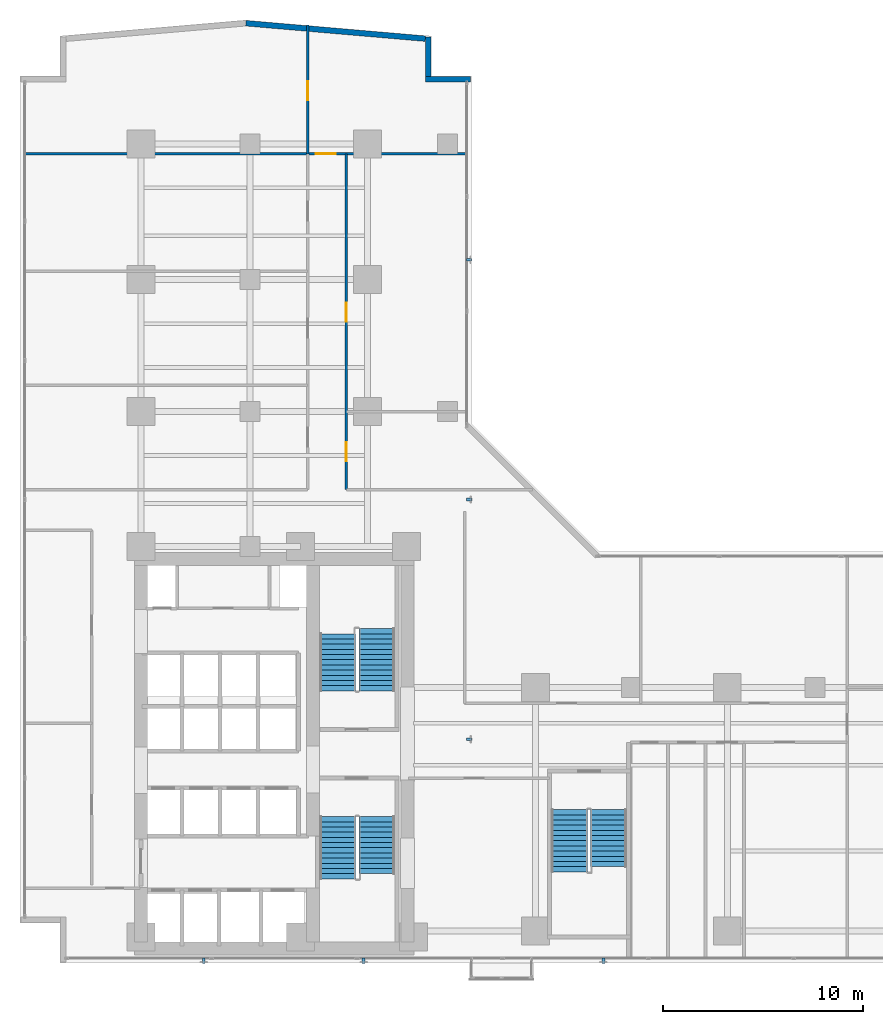
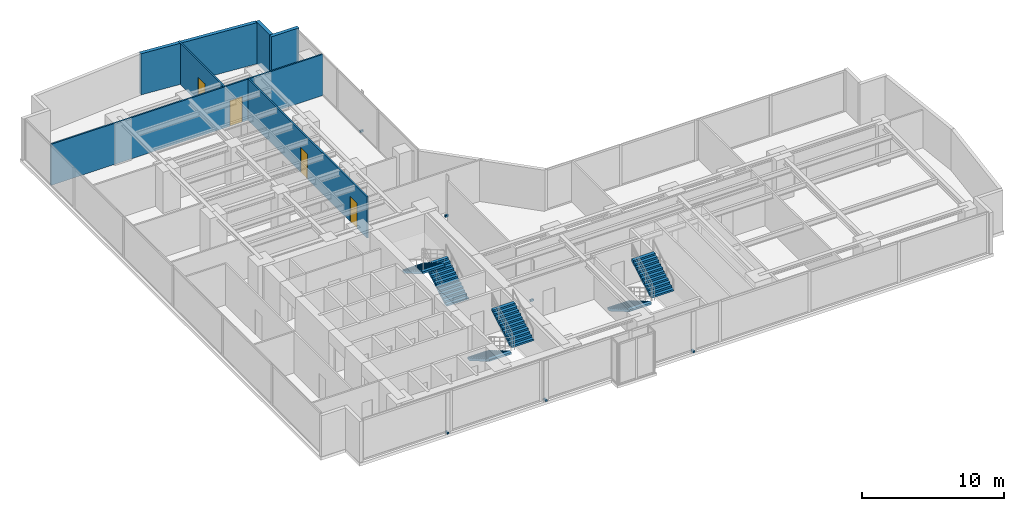
# One storey, part 21 of 24: 6 discrete accessories, 6 stair flights, 6 walls, 4 doors, 4 openings, 3 elements without a shape of their own.
"""IFC4 building model written with IfcOpenShell, lengths in metres."""

from ifc_helpers import new_model, si_unit, direction, frame, frame_2d, origin, origin_with_axes, origin_2d, place, context, subcontext, project, spatial, polyline, rectangle, outline, extrude, source, transform, mapped, material, layer, layer_set, type_object, element, fill, aggregate, save


model = new_model("IFC4")

# Units and contexts
model_context = context("Model", 3, precision=1e-05, world=origin(), true_north=direction((0.0, 1.0)))
body_context = subcontext(model_context, "Body", "Model", "MODEL_VIEW")
ifc_project = project(units=[si_unit("LENGTHUNIT", "METRE"), si_unit("AREAUNIT", "SQUARE_METRE"), si_unit("VOLUMEUNIT", "CUBIC_METRE"), si_unit("PLANEANGLEUNIT", "RADIAN"), si_unit("MASSUNIT", "GRAM", prefix="KILO")], contexts=[model_context])

# Site, building, storey
site_placement = place(None, origin())
site = spatial("IfcSite", under=ifc_project, at=site_placement, CompositionType="ELEMENT")
building_placement = place(site_placement, origin())
building = spatial("IfcBuilding", under=site, at=building_placement, Name="Kolvaren Waterfront Exchange", CompositionType="ELEMENT")
storey_placement = place(building_placement, frame((0.0, 0.0, 91.699951171875)))
storey = spatial("IfcBuildingStorey", under=building, at=storey_placement, Name="L23", CompositionType="ELEMENT", Elevation=91.699951171875)

# Walls
ifc_material_1 = material(Name="Precast concrete C40/50", Category="concrete")
ifc_layer_1 = layer(ifc_material_1, 0.280029296875, Name="Precast concrete C40/50")
ifc_layer_set_1 = layer_set([ifc_layer_1], Name="Precast concrete C40/50")
wall_type_1 = type_object("IfcWallType", Name="ARC-EXT-TERR-280", PredefinedType="SOLIDWALL", material=ifc_layer_set_1)
wall_1_placement = place(storey_placement, frame((21.699951171875, 47.840087890625, 0.0), z_axis=(0.0, 0.0, 1.0), x_axis=(1.0, 0.0, 0.0)))
element("IfcWall", 1, at=wall_1_placement, inside=storey, type_object=wall_type_1, Name="L23 notched corner spandrel pier NNE-A", PredefinedType="SOLIDWALL", context=body_context, shape_type="SweptSolid", body=[
    extrude(rectangle(XDim=2.239990234375, YDim=0.280029296875, at=frame_2d((1.1201171875, 0.0))), origin(), (0.0, 0.0, 1.0), 3.5400390625),
])
wall_2_placement = place(storey_placement, frame((21.840087890625, 47.97998046875, 0.0), z_axis=(0.0, 0.0, 1.0), x_axis=(0.0, 1.0, 0.0)))
element("IfcWall", 2, at=wall_2_placement, inside=storey, type_object=wall_type_1, Name="L23 notched corner spandrel pier NNE-B", PredefinedType="SOLIDWALL", context=body_context, shape_type="SweptSolid", body=[
    extrude(rectangle(XDim=1.9599609375, YDim=0.280029296875, at=frame_2d((0.97998046875, 0.0))), origin(), (0.0, 0.0, 1.0), 3.5400390625),
])
wall_3_placement = place(storey_placement, frame((21.6875, 49.8662109375, 0.0), z_axis=(0.0, 0.0, 1.0), x_axis=(-0.996319339243, 0.085719159179, 0.0)))
element("IfcWall", 3, at=wall_3_placement, inside=storey, type_object=wall_type_1, Name="L23 north prow faceted facade wall 1", PredefinedType="SOLIDWALL", context=body_context, shape_type="SweptSolid", body=[
    extrude(rectangle(XDim=9.014404296875, YDim=0.280029296875, at=frame_2d((4.50732421875, 0.0))), origin(), (0.0, 0.0, 1.0), 3.5400390625),
])

# Wall, opening, door
ifc_material_2 = material(Name="Acoustic gypsum steel stud", Category="steel")
ifc_layer_2 = layer(ifc_material_2, 0.125, Name="Acoustic gypsum steel stud")
ifc_layer_set_2 = layer_set([ifc_layer_2], Name="Acoustic gypsum steel stud")
wall_type_2 = type_object("IfcWallType", Name="ARC-PART-125", PredefinedType="PARTITIONING", material=ifc_layer_set_2)
wall_4_placement = place(storey_placement, frame((1.639892578125, 44.10009765625, 0.0), z_axis=(0.0, 0.0, 1.0), x_axis=(1.0, 0.0, 0.0)))
wall_4 = element("IfcWall", 4, at=wall_4_placement, inside=storey, type_object=wall_type_2, Name="L23 interior wall PW-L23-NTIP-S", PredefinedType="PARTITIONING", context=body_context, shape_type="SweptSolid", body=[
    extrude(rectangle(XDim=22.1201171875, YDim=0.125, at=frame_2d((11.06005859375, 0.0))), origin(), (0.0, 0.0, 1.0), 3.5400390625),
])
opening_1_placement = place(wall_4_placement, frame((14.56005859375, 0.0, 0.0)))
opening_1 = element("IfcOpeningElement", 5, at=opening_1_placement, cuts=wall_4, Name="Opening D03", PredefinedType="OPENING", context=body_context, shape_type="SweptSolid", body=[
    extrude(rectangle(XDim=1.0, YDim=2.199951171875, at=frame_2d((0.5, 1.10009765625))), frame((0.0, 0.072509765625, 0.0), z_axis=(0.0, -1.0, 0.0), x_axis=(1.0, 0.0, 0.0)), (0.0, 0.0, 1.0), 0.14501953125),
])
ifc_material_3 = material(Name="Oak veneer accessible timber", Category="wood")
door_type_1 = type_object("IfcDoorType", Name="ARC-DR-1000", OperationType="NOTDEFINED", PredefinedType="DOOR", material=ifc_material_3)
door_1_placement = place(opening_1_placement, origin())
door_1 = element("IfcDoor", 6, at=door_1_placement, inside=storey, type_object=door_type_1, Name="L23 door DR-L23-NTIPE-D (D03)", OperationType="SINGLE_SWING_RIGHT", OverallHeight=2.199951171875, OverallWidth=1.0, PredefinedType="DOOR", context=body_context, shape_type="SweptSolid", body=[
    extrude(rectangle(XDim=1.0, YDim=2.199951171875, at=frame_2d((0.5, 1.10009765625))), frame((0.0, 0.02490234375, 0.0), z_axis=(0.0, -1.0, 0.0), x_axis=(1.0, 0.0, 0.0)), (0.0, 0.0, 1.0), 0.050048828125),
])
fill(opening_1, door_1)

wall_5_placement = place(storey_placement, frame((15.800048828125, 44.10009765625, 0.0), z_axis=(0.0, 0.0, 1.0), x_axis=(0.0, 1.0, 0.0)))
wall_5 = element("IfcWall", 7, at=wall_5_placement, inside=storey, type_object=wall_type_2, Name="L23 interior wall PW-L23-NTIP-DIV", PredefinedType="PARTITIONING", context=body_context, shape_type="SweptSolid", body=[
    extrude(rectangle(XDim=6.4599609375, YDim=0.125, at=frame_2d((3.22998046875, 0.0))), origin(), (0.0, 0.0, 1.0), 3.5400390625),
])
opening_2_placement = place(wall_5_placement, frame((2.677490234375, 0.0, 0.0)))
opening_2 = element("IfcOpeningElement", 8, at=opening_2_placement, cuts=wall_5, Name="Opening D02", PredefinedType="OPENING", context=body_context, shape_type="SweptSolid", body=[
    extrude(rectangle(XDim=0.949951171875, YDim=2.14990234375, at=frame_2d((0.47509765625, 1.074951171875))), frame((0.0, 0.072509765625, 0.0), z_axis=(0.0, -1.0, 0.0), x_axis=(1.0, 0.0, 0.0)), (0.0, 0.0, 1.0), 0.14501953125),
])
ifc_material_4 = material(Name="Oak veneer acoustic timber", Category="wood")
door_type_2 = type_object("IfcDoorType", Name="ARC-DR-950", OperationType="NOTDEFINED", PredefinedType="DOOR", material=ifc_material_4)
door_2_placement = place(opening_2_placement, origin())
door_2 = element("IfcDoor", 9, at=door_2_placement, inside=storey, type_object=door_type_2, Name="L23 door DR-L23-NTIPW-D (D02)", OperationType="SINGLE_SWING_LEFT", OverallHeight=2.14990234375, OverallWidth=0.949951171875, PredefinedType="DOOR", context=body_context, shape_type="SweptSolid", body=[
    extrude(rectangle(XDim=0.949951171875, YDim=2.14990234375, at=frame_2d((0.47509765625, 1.074951171875))), frame((0.0, 0.02490234375, 0.0), z_axis=(0.0, -1.0, 0.0), x_axis=(1.0, 0.0, 0.0)), (0.0, 0.0, 1.0), 0.050048828125),
])
fill(opening_2, door_2)

# Wall, openings, doors
wall_6_placement = place(storey_placement, frame((17.739990234375, 27.300048828125, 0.0), z_axis=(0.0, 0.0, 1.0), x_axis=(0.0, 1.0, 0.0)))
wall_6 = element("IfcWall", 10, at=wall_6_placement, inside=storey, type_object=wall_type_2, Name="L23 interior wall PW-L23-NE-CORR", PredefinedType="PARTITIONING", context=body_context, shape_type="SweptSolid", body=[
    extrude(rectangle(XDim=16.800048828125, YDim=0.125, at=frame_2d((8.39990234375, 0.0))), origin(), (0.0, 0.0, 1.0), 3.5400390625),
])
opening_3_placement = place(wall_6_placement, frame((1.4033203125, 0.0, 0.0)))
opening_3 = element("IfcOpeningElement", 11, at=opening_3_placement, cuts=wall_6, Name="Opening D02", PredefinedType="OPENING", context=body_context, shape_type="SweptSolid", body=[
    extrude(rectangle(XDim=0.949951171875, YDim=2.14990234375, at=frame_2d((0.47509765625, 1.074951171875))), frame((0.0, 0.072509765625, 0.0), z_axis=(0.0, -1.0, 0.0), x_axis=(1.0, 0.0, 0.0)), (0.0, 0.0, 1.0), 0.14501953125),
])
opening_4_placement = place(wall_6_placement, frame((8.39306640625, 0.0, 0.0)))
opening_4 = element("IfcOpeningElement", 12, at=opening_4_placement, cuts=wall_6, Name="Opening D02", PredefinedType="OPENING", context=body_context, shape_type="SweptSolid", body=[
    extrude(rectangle(XDim=0.949951171875, YDim=2.14990234375, at=frame_2d((0.47509765625, 1.074951171875))), frame((0.0, 0.072509765625, 0.0), z_axis=(0.0, -1.0, 0.0), x_axis=(1.0, 0.0, 0.0)), (0.0, 0.0, 1.0), 0.14501953125),
])
door_3_placement = place(opening_3_placement, origin())
door_3 = element("IfcDoor", 13, at=door_3_placement, inside=storey, type_object=door_type_2, Name="L23 door DR-L23-NE-D-1 (D02)", OperationType="SINGLE_SWING_RIGHT", OverallHeight=2.14990234375, OverallWidth=0.949951171875, PredefinedType="DOOR", context=body_context, shape_type="SweptSolid", body=[
    extrude(rectangle(XDim=0.949951171875, YDim=2.14990234375, at=frame_2d((0.47509765625, 1.074951171875))), frame((0.0, 0.02490234375, 0.0), z_axis=(0.0, -1.0, 0.0), x_axis=(1.0, 0.0, 0.0)), (0.0, 0.0, 1.0), 0.050048828125),
])
fill(opening_3, door_3)
door_4_placement = place(opening_4_placement, origin())
door_4 = element("IfcDoor", 14, at=door_4_placement, inside=storey, type_object=door_type_2, Name="L23 door DR-L23-NE-D-2 (D02)", OperationType="SINGLE_SWING_LEFT", OverallHeight=2.14990234375, OverallWidth=0.949951171875, PredefinedType="DOOR", context=body_context, shape_type="SweptSolid", body=[
    extrude(rectangle(XDim=0.949951171875, YDim=2.14990234375, at=frame_2d((0.47509765625, 1.074951171875))), frame((0.0, 0.02490234375, 0.0), z_axis=(0.0, -1.0, 0.0), x_axis=(1.0, 0.0, 0.0)), (0.0, 0.0, 1.0), 0.050048828125),
])
fill(opening_4, door_4)

# Stair, stair flights
ifc_material_5 = material(Name="Concrete C40/50", Category="concrete")
stair_type = type_object("IfcStairType", Name="ARC-STAIR-3800", PredefinedType="HALF_TURN_STAIR", material=ifc_material_5)
stair_1_placement = place(storey_placement, origin())
stair_1 = element("IfcStair", 15, at=stair_1_placement, inside=storey, type_object=stair_type, Name="L23 Smoke-proof exit stair ST1", PredefinedType="HALF_TURN_STAIR")
stair_flight_type = type_object("IfcStairFlightType", Name="ARC-FLIGHT-3800", PredefinedType="STRAIGHT", material=ifc_material_5)
stair_flight_1_placement = place(storey_placement, frame((17.300048828125, 10.929931640625, 0.0), z_axis=(0.0, 0.0, 1.0), x_axis=(0.0, -1.0, 0.0)))
stair_flight_1 = element("IfcStairFlight", 16, at=stair_flight_1_placement, type_object=stair_flight_type, Name="ST1 flight 1", NumberOfRisers=13, NumberOfTreads=12, PredefinedType="STRAIGHT", RiserHeight=0.152, TreadLength=0.26, context=body_context, shape_type="SweptSolid", body=[
    extrude(outline(polyline([(0.0, 0.0), (0.0, 0.152099609375), (0.260009765625, 0.152099609375), (0.260009765625, 0.303955078125), (0.52001953125, 0.303955078125), (0.52001953125, 0.4560546875), (0.780029296875, 0.4560546875), (0.780029296875, 0.60791015625), (1.0400390625, 0.60791015625), (1.0400390625, 0.760009765625), (1.300048828125, 0.760009765625), (1.300048828125, 0.912109375), (1.56005859375, 0.912109375), (1.56005859375, 1.06396484375), (1.820068359375, 1.06396484375), (1.820068359375, 1.216064453125), (2.080078125, 1.216064453125), (2.080078125, 1.367919921875), (2.340087890625, 1.367919921875), (2.340087890625, 1.52001953125), (2.60009765625, 1.52001953125), (2.60009765625, 1.672119140625), (2.860107421875, 1.672119140625), (2.860107421875, 1.823974609375), (3.1201171875, 1.823974609375), (3.1201171875, 1.97607421875), (3.1201171875, 1.650390625), (0.297119140625, 0.0), (0.0, 0.0)])), frame((0.0, 0.89990234375, 0.0), z_axis=(0.0, -1.0, 0.0), x_axis=(1.0, 0.0, 0.0)), (0.0, 0.0, 1.0), 1.800048828125),
])
stair_flight_2_placement = place(storey_placement, frame((19.260009765625, 8.070068359375, 1.97607421875), z_axis=(0.0, 0.0, 1.0), x_axis=(0.0, 1.0, 0.0)))
stair_flight_2 = element("IfcStairFlight", 17, at=stair_flight_2_placement, type_object=stair_flight_type, Name="ST1 flight 2", NumberOfRisers=12, NumberOfTreads=11, PredefinedType="STRAIGHT", RiserHeight=0.152, TreadLength=0.26, context=body_context, shape_type="SweptSolid", body=[
    extrude(outline(polyline([(0.0, 0.0), (0.0, 0.152099609375), (0.260009765625, 0.152099609375), (0.260009765625, 0.303955078125), (0.52001953125, 0.303955078125), (0.52001953125, 0.4560546875), (0.780029296875, 0.4560546875), (0.780029296875, 0.60791015625), (1.0400390625, 0.60791015625), (1.0400390625, 0.760009765625), (1.300048828125, 0.760009765625), (1.300048828125, 0.912109375), (1.56005859375, 0.912109375), (1.56005859375, 1.06396484375), (1.820068359375, 1.06396484375), (1.820068359375, 1.216064453125), (2.080078125, 1.216064453125), (2.080078125, 1.367919921875), (2.340087890625, 1.367919921875), (2.340087890625, 1.52001953125), (2.60009765625, 1.52001953125), (2.60009765625, 1.672119140625), (2.860107421875, 1.672119140625), (2.860107421875, 1.823974609375), (2.860107421875, 1.498291015625), (0.297119140625, 0.0), (0.0, 0.0)])), frame((0.0, 0.89990234375, 0.0), z_axis=(0.0, -1.0, 0.0), x_axis=(1.0, 0.0, 0.0)), (0.0, 0.0, 1.0), 1.800048828125),
])
aggregate(stair_1, [stair_flight_1, stair_flight_2])

stair_2_placement = place(storey_placement, origin())
stair_2 = element("IfcStair", 18, at=stair_2_placement, inside=storey, type_object=stair_type, Name="L23 Smoke-proof exit stair ST2", PredefinedType="HALF_TURN_STAIR")
stair_flight_3_placement = place(storey_placement, frame((19.260009765625, 17.219970703125, 0.0), z_axis=(0.0, 0.0, 1.0), x_axis=(0.0, 1.0, 0.0)))
stair_flight_3 = element("IfcStairFlight", 19, at=stair_flight_3_placement, type_object=stair_flight_type, Name="ST2 flight 1", NumberOfRisers=13, NumberOfTreads=12, PredefinedType="STRAIGHT", RiserHeight=0.152, TreadLength=0.26, context=body_context, shape_type="SweptSolid", body=[
    extrude(outline(polyline([(0.0, 0.0), (0.0, 0.152099609375), (0.260009765625, 0.152099609375), (0.260009765625, 0.303955078125), (0.52001953125, 0.303955078125), (0.52001953125, 0.4560546875), (0.780029296875, 0.4560546875), (0.780029296875, 0.60791015625), (1.0400390625, 0.60791015625), (1.0400390625, 0.760009765625), (1.300048828125, 0.760009765625), (1.300048828125, 0.912109375), (1.56005859375, 0.912109375), (1.56005859375, 1.06396484375), (1.820068359375, 1.06396484375), (1.820068359375, 1.216064453125), (2.080078125, 1.216064453125), (2.080078125, 1.367919921875), (2.340087890625, 1.367919921875), (2.340087890625, 1.52001953125), (2.60009765625, 1.52001953125), (2.60009765625, 1.672119140625), (2.860107421875, 1.672119140625), (2.860107421875, 1.823974609375), (3.1201171875, 1.823974609375), (3.1201171875, 1.97607421875), (3.1201171875, 1.650390625), (0.297119140625, 0.0), (0.0, 0.0)])), frame((0.0, 0.89990234375, 0.0), z_axis=(0.0, -1.0, 0.0), x_axis=(1.0, 0.0, 0.0)), (0.0, 0.0, 1.0), 1.800048828125),
])
stair_flight_4_placement = place(storey_placement, frame((17.300048828125, 20.080078125, 1.97607421875), z_axis=(0.0, 0.0, 1.0), x_axis=(0.0, -1.0, 0.0)))
stair_flight_4 = element("IfcStairFlight", 20, at=stair_flight_4_placement, type_object=stair_flight_type, Name="ST2 flight 2", NumberOfRisers=12, NumberOfTreads=11, PredefinedType="STRAIGHT", RiserHeight=0.152, TreadLength=0.26, context=body_context, shape_type="SweptSolid", body=[
    extrude(outline(polyline([(0.0, 0.0), (0.0, 0.152099609375), (0.260009765625, 0.152099609375), (0.260009765625, 0.303955078125), (0.52001953125, 0.303955078125), (0.52001953125, 0.4560546875), (0.780029296875, 0.4560546875), (0.780029296875, 0.60791015625), (1.0400390625, 0.60791015625), (1.0400390625, 0.760009765625), (1.300048828125, 0.760009765625), (1.300048828125, 0.912109375), (1.56005859375, 0.912109375), (1.56005859375, 1.06396484375), (1.820068359375, 1.06396484375), (1.820068359375, 1.216064453125), (2.080078125, 1.216064453125), (2.080078125, 1.367919921875), (2.340087890625, 1.367919921875), (2.340087890625, 1.52001953125), (2.60009765625, 1.52001953125), (2.60009765625, 1.672119140625), (2.860107421875, 1.672119140625), (2.860107421875, 1.823974609375), (2.860107421875, 1.498291015625), (0.297119140625, 0.0), (0.0, 0.0)])), frame((0.0, 0.89990234375, 0.0), z_axis=(0.0, -1.0, 0.0), x_axis=(1.0, 0.0, 0.0)), (0.0, 0.0, 1.0), 1.800048828125),
])
aggregate(stair_2, [stair_flight_3, stair_flight_4])

stair_3_placement = place(storey_placement, origin())
stair_3 = element("IfcStair", 21, at=stair_3_placement, inside=storey, type_object=stair_type, Name="L23 Exit stair ST3", PredefinedType="HALF_TURN_STAIR")
stair_flight_5_placement = place(storey_placement, frame((28.89990234375, 11.280029296875, 0.0), z_axis=(0.0, 0.0, 1.0), x_axis=(0.0, -1.0, 0.0)))
stair_flight_5 = element("IfcStairFlight", 22, at=stair_flight_5_placement, type_object=stair_flight_type, Name="ST3 flight 1", NumberOfRisers=13, NumberOfTreads=12, PredefinedType="STRAIGHT", RiserHeight=0.152, TreadLength=0.26, context=body_context, shape_type="SweptSolid", body=[
    extrude(outline(polyline([(0.0, 0.0), (0.0, 0.152099609375), (0.260009765625, 0.152099609375), (0.260009765625, 0.303955078125), (0.52001953125, 0.303955078125), (0.52001953125, 0.4560546875), (0.780029296875, 0.4560546875), (0.780029296875, 0.60791015625), (1.0400390625, 0.60791015625), (1.0400390625, 0.760009765625), (1.300048828125, 0.760009765625), (1.300048828125, 0.912109375), (1.56005859375, 0.912109375), (1.56005859375, 1.06396484375), (1.820068359375, 1.06396484375), (1.820068359375, 1.216064453125), (2.080078125, 1.216064453125), (2.080078125, 1.367919921875), (2.340087890625, 1.367919921875), (2.340087890625, 1.52001953125), (2.60009765625, 1.52001953125), (2.60009765625, 1.672119140625), (2.860107421875, 1.672119140625), (2.860107421875, 1.823974609375), (3.1201171875, 1.823974609375), (3.1201171875, 1.97607421875), (3.1201171875, 1.650390625), (0.297119140625, 0.0), (0.0, 0.0)])), frame((0.0, 0.89990234375, 0.0), z_axis=(0.0, -1.0, 0.0), x_axis=(1.0, 0.0, 0.0)), (0.0, 0.0, 1.0), 1.800048828125),
])
stair_flight_6_placement = place(storey_placement, frame((30.860107421875, 8.419921875, 1.97607421875), z_axis=(0.0, 0.0, 1.0), x_axis=(0.0, 1.0, 0.0)))
stair_flight_6 = element("IfcStairFlight", 23, at=stair_flight_6_placement, type_object=stair_flight_type, Name="ST3 flight 2", NumberOfRisers=12, NumberOfTreads=11, PredefinedType="STRAIGHT", RiserHeight=0.152, TreadLength=0.26, context=body_context, shape_type="SweptSolid", body=[
    extrude(outline(polyline([(0.0, 0.0), (0.0, 0.152099609375), (0.260009765625, 0.152099609375), (0.260009765625, 0.303955078125), (0.52001953125, 0.303955078125), (0.52001953125, 0.4560546875), (0.780029296875, 0.4560546875), (0.780029296875, 0.60791015625), (1.0400390625, 0.60791015625), (1.0400390625, 0.760009765625), (1.300048828125, 0.760009765625), (1.300048828125, 0.912109375), (1.56005859375, 0.912109375), (1.56005859375, 1.06396484375), (1.820068359375, 1.06396484375), (1.820068359375, 1.216064453125), (2.080078125, 1.216064453125), (2.080078125, 1.367919921875), (2.340087890625, 1.367919921875), (2.340087890625, 1.52001953125), (2.60009765625, 1.52001953125), (2.60009765625, 1.672119140625), (2.860107421875, 1.672119140625), (2.860107421875, 1.823974609375), (2.860107421875, 1.498291015625), (0.297119140625, 0.0), (0.0, 0.0)])), frame((0.0, 0.89990234375, 0.0), z_axis=(0.0, -1.0, 0.0), x_axis=(1.0, 0.0, 0.0)), (0.0, 0.0, 1.0), 1.800048828125),
])
aggregate(stair_3, [stair_flight_5, stair_flight_6])

# Discrete accessories
ifc_material_6 = material(Name="Stainless steel 316", Category="steel")
discrete_accessory_type = type_object("IfcDiscreteAccessoryType", Name="ARC-BRK-FIN", PredefinedType="BRACKET", material=ifc_material_6)
shared_shape = source(origin_with_axes(), body_context, "Body", "SweptSolid", [
    extrude(rectangle(XDim=0.280029296875, YDim=0.139892578125, at=origin_2d()), origin(), (0.0, 0.0, 1.0), 0.159912109375),
])
for number, where, z_axis, x_axis, name in (
    (24, (10.60009765625, 3.719970703125, 0.0), (0.0, 0.0, 1.0), (0.0, -1.0, 0.0), "L23 bronze fin anchor bracket FIN-L23-S1"),
    (25, (18.60009765625, 3.719970703125, 0.0), (0.0, 0.0, 1.0), (0.0, -1.0, 0.0), "L23 bronze fin anchor bracket FIN-L23-S2"),
    (26, (30.60009765625, 3.719970703125, 0.0), (0.0, 0.0, 1.0), (0.0, -1.0, 0.0), "L23 bronze fin anchor bracket FIN-L23-S3"),
    (27, (23.8798828125, 14.800048828125, 0.0), (0.0, 0.0, 1.0), (1.0, 0.0, 0.0), "L23 bronze fin anchor bracket FIN-L23-E1"),
    (28, (23.8798828125, 26.800048828125, 0.0), (0.0, 0.0, 1.0), (1.0, 0.0, 0.0), "L23 bronze fin anchor bracket FIN-L23-E2"),
    (29, (23.8798828125, 38.800048828125, 0.0), (0.0, 0.0, 1.0), (1.0, 0.0, 0.0), "L23 bronze fin anchor bracket FIN-L23-E3"),
):
    element("IfcDiscreteAccessory", number, at=place(storey_placement, frame(where, z_axis=z_axis, x_axis=x_axis)), inside=storey, type_object=discrete_accessory_type, Name=name, PredefinedType="BRACKET", context=body_context, shape_type="MappedRepresentation", body=[
        mapped(shared_shape, transform((0.0, 0.0, 0.0), x_axis=(1.0, 0.0, 0.0), y_axis=(0.0, 1.0, 0.0), z_axis=(0.0, 0.0, 1.0), scale=1.0)),
    ])

save(model, "model.ifc")
